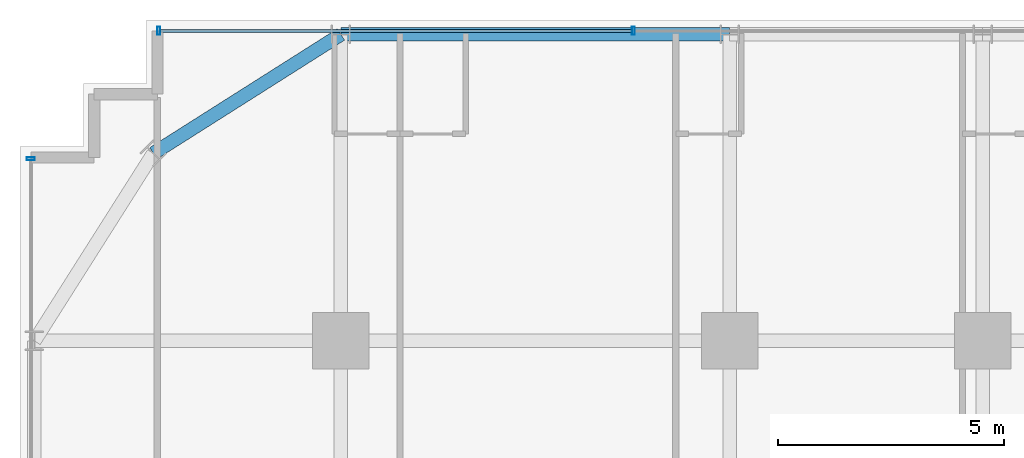
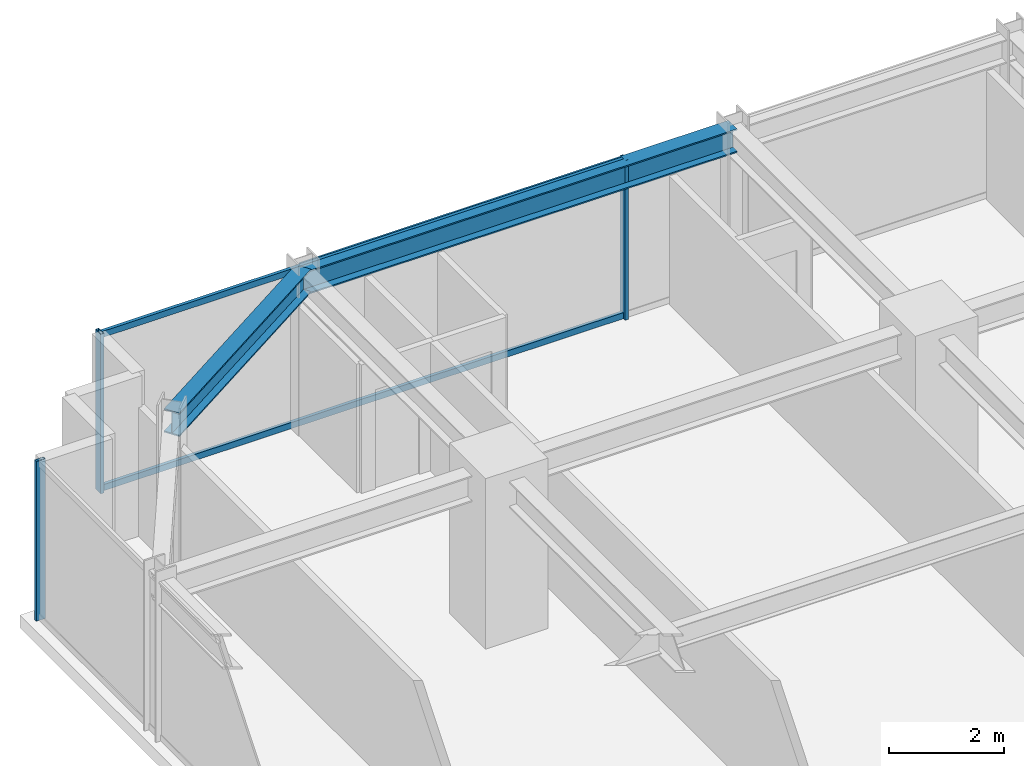
# One storey, part 19 of 33: 5 members, 2 beams, 2 elements without a shape of their own.
"""IFC4 building model written with IfcOpenShell, lengths in metres."""

from ifc_helpers import new_model, si_unit, direction, frame, origin, origin_2d, place, context, subcontext, project, spatial, hollow_rectangle, i_section, extrude, source, transform, mapped, material, material_profile, profile_set, type_object, element, aggregate, save


model = new_model("IFC4")

# Units and contexts
model_context = context("Model", 3, precision=1e-05, world=origin(), true_north=direction((0.0, 1.0)))
body_context = subcontext(model_context, "Body", "Model", "MODEL_VIEW")
ifc_project = project(units=[si_unit("LENGTHUNIT", "METRE"), si_unit("AREAUNIT", "SQUARE_METRE"), si_unit("VOLUMEUNIT", "CUBIC_METRE"), si_unit("PLANEANGLEUNIT", "RADIAN"), si_unit("MASSUNIT", "GRAM", prefix="KILO")], contexts=[model_context])

# Site, building, storey
site_placement = place(None, origin())
site = spatial("IfcSite", under=ifc_project, at=site_placement, CompositionType="ELEMENT")
building_placement = place(site_placement, origin())
building = spatial("IfcBuilding", under=site, at=building_placement, Name="Nahalor Promenade Grand Hotel", CompositionType="ELEMENT")
storey_placement = place(building_placement, frame((0.0, 0.0, 132.10009765625)))
storey = spatial("IfcBuildingStorey", under=building, at=storey_placement, Name="L33", CompositionType="ELEMENT", Elevation=132.10009765625)

# Beams
ifc_material_1 = material(Name="Steel S355JR", Category="steel")
ifc_material_profile_1 = material_profile(ifc_material_1, i_section(OverallWidth=0.3, OverallDepth=0.5, WebThickness=0.0145, FlangeThickness=0.028, at=origin_2d()), Name="HEB 500")
ifc_profile_set_1 = profile_set([ifc_material_profile_1], Name="Steel S355JR")
beam_type = type_object("IfcBeamType", Name="Beam-Spandrel-HEB500", PredefinedType="SPANDREL", material=ifc_profile_set_1)
shared_shape_1 = source(origin(), body_context, "Body", "SweptSolid", [
    extrude(i_section(OverallWidth=0.3, OverallDepth=0.5, WebThickness=0.0145, FlangeThickness=0.028, at=origin_2d()), origin(), (0.0, 0.0, 1.0), 8.60009765625),
])
beam_1_placement = place(storey_placement, frame((-17.0, 23.780029296875, 3.1298828125), z_axis=(1.0, 0.0, 0.0), x_axis=(0.0, 1.0, 0.0)))
element("IfcBeam", 1, at=beam_1_placement, inside=storey, type_object=beam_type, Name="BM-L33-SP-N-0", PredefinedType="SPANDREL", context=body_context, shape_type="MappedRepresentation", body=[
    mapped(shared_shape_1, transform((0.0, 0.0, 0.0), scale=1.0)),
])
shared_shape_2 = source(origin(), body_context, "Body", "SweptSolid", [
    extrude(i_section(OverallWidth=0.3, OverallDepth=0.5, WebThickness=0.0145, FlangeThickness=0.028, at=origin_2d()), origin(), (0.0, 0.0, 1.0), 4.9130859375),
])
beam_2_placement = place(storey_placement, frame((-17.0, 23.780029296875, 3.1298828125), z_axis=(-0.844648325505, -0.535321591403, 0.0), x_axis=(0.535321591403, -0.844648325505, 0.0)))
element("IfcBeam", 2, at=beam_2_placement, inside=storey, type_object=beam_type, Name="BM-L33-SPC-NW-1", PredefinedType="SPANDREL", context=body_context, shape_type="MappedRepresentation", body=[
    mapped(shared_shape_2, transform((0.0, 0.0, 0.0), scale=1.0)),
])

# Curtain wall, members
ifc_material_2 = material(Name="Anodised Bronze Aluminium EN AW-6063 T6", Category="aluminium")
curtain_wall_type = type_object("IfcCurtainWallType", Name="CW2 Typical Hotel Flush Bronze Unitised Curtain Wall", PredefinedType="USERDEFINED", material=ifc_material_2)
curtain_wall_1_placement = place(storey_placement, origin())
curtain_wall_1 = element("IfcCurtainWall", 3, at=curtain_wall_1_placement, inside=storey, type_object=curtain_wall_type, Name="L33 Curtain Wall CW-L33-N-1", ObjectType="UNITISED_CURTAIN_WALL", PredefinedType="USERDEFINED")
ifc_material_profile_2 = material_profile(ifc_material_2, hollow_rectangle(XDim=0.065, YDim=0.18, WallThickness=0.004, at=origin_2d()), Name="CWM 65x180x4")
ifc_profile_set_2 = profile_set([ifc_material_profile_2], Name="Anodised Bronze Aluminium EN AW-6063 T6")
member_type_1 = type_object("IfcMemberType", Name="CWM2 Typical Bronze Mullion 65x180", PredefinedType="MULLION", material=ifc_profile_set_2)
shared_shape_3 = source(origin(), body_context, "Body", "SweptSolid", [
    extrude(hollow_rectangle(XDim=0.065, YDim=0.18, WallThickness=0.004, at=origin_2d()), origin(), (0.0, 0.0, 1.0), 3.3798828125),
])
member_1_placement = place(storey_placement, frame((-21.027587890625, 23.860107421875, 0.0), z_axis=(0.0, 0.0, 1.0), x_axis=(1.0, 0.0, 0.0)))
member_1 = element("IfcMember", 4, at=member_1_placement, type_object=member_type_1, Name="CW-L33-N-1 Mullion 0", PredefinedType="MULLION", context=body_context, shape_type="MappedRepresentation", body=[
    mapped(shared_shape_3, transform((0.0, 0.0, 0.0), scale=1.0)),
])
member_2_placement = place(storey_placement, frame((-10.530029296875, 23.860107421875, 0.0), z_axis=(0.0, 0.0, 1.0), x_axis=(1.0, 0.0, 0.0)))
member_2 = element("IfcMember", 5, at=member_2_placement, type_object=member_type_1, Name="CW-L33-N-1 Mullion 1", PredefinedType="MULLION", context=body_context, shape_type="MappedRepresentation", body=[
    mapped(shared_shape_3, transform((0.0, 0.0, 0.0), scale=1.0)),
])

# Curtain wall, member
curtain_wall_2_placement = place(storey_placement, origin())
curtain_wall_2 = element("IfcCurtainWall", 6, at=curtain_wall_2_placement, inside=storey, type_object=curtain_wall_type, Name="L33 Curtain Wall CW-L33-W-1", ObjectType="UNITISED_CURTAIN_WALL", PredefinedType="USERDEFINED")
member_3_placement = place(storey_placement, frame((-23.860107421875, 21.027587890625, 0.0), z_axis=(0.0, 0.0, 1.0), x_axis=(0.0, 1.0, 0.0)))
member_3 = element("IfcMember", 7, at=member_3_placement, type_object=member_type_1, Name="CW-L33-W-1 Mullion 4", PredefinedType="MULLION", context=body_context, shape_type="MappedRepresentation", body=[
    mapped(shared_shape_3, transform((0.0, 0.0, 0.0), scale=1.0)),
])
aggregate(curtain_wall_2, [member_3])

# Member
ifc_material_profile_3 = material_profile(ifc_material_2, hollow_rectangle(XDim=0.065, YDim=0.13, WallThickness=0.004, at=origin_2d()), Name="CWT 65x130x4")
ifc_profile_set_3 = profile_set([ifc_material_profile_3], Name="Anodised Bronze Aluminium EN AW-6063 T6")
member_type_2 = type_object("IfcMemberType", Name="CWT2 Typical Bronze Transom 65x130", PredefinedType="USERDEFINED", material=ifc_profile_set_3)
shared_shape_4 = source(origin(), body_context, "Body", "SweptSolid", [
    extrude(hollow_rectangle(XDim=0.065, YDim=0.13, WallThickness=0.004, at=origin_2d()), origin(), (0.0, 0.0, 1.0), 10.4326171875),
])
member_4_placement = place(storey_placement, frame((-20.9951171875, 23.860107421875, 0.06494140625), z_axis=(1.0, 0.0, 0.0), x_axis=(0.0, 1.0, 0.0)))
member_4 = element("IfcMember", 8, at=member_4_placement, type_object=member_type_2, Name="CW-L33-N-1 Transom 0-0", ObjectType="TRANSOM", PredefinedType="USERDEFINED", context=body_context, shape_type="MappedRepresentation", body=[
    mapped(shared_shape_4, transform((0.0, 0.0, 0.0), scale=1.0)),
])

member_5_placement = place(storey_placement, frame((-20.9951171875, 23.860107421875, 3.31494140625), z_axis=(1.0, 0.0, 0.0), x_axis=(0.0, 1.0, 0.0)))
member_5 = element("IfcMember", 9, at=member_5_placement, type_object=member_type_2, Name="CW-L33-N-1 Transom 0-1", ObjectType="TRANSOM", PredefinedType="USERDEFINED", context=body_context, shape_type="MappedRepresentation", body=[
    mapped(shared_shape_4, transform((0.0, 0.0, 0.0), scale=1.0)),
])

aggregate(curtain_wall_1, [member_1, member_2, member_4, member_5])

save(model, "model.ifc")
